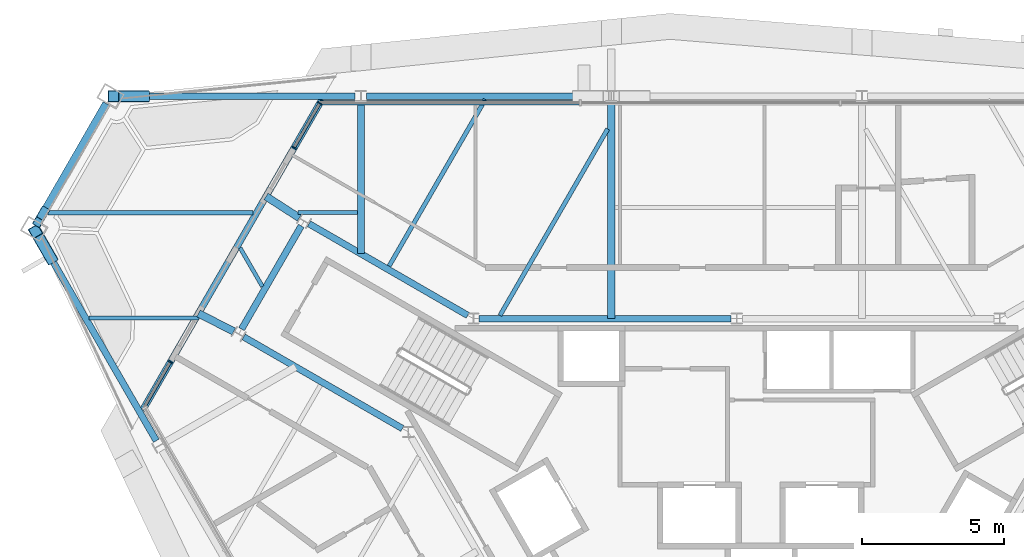
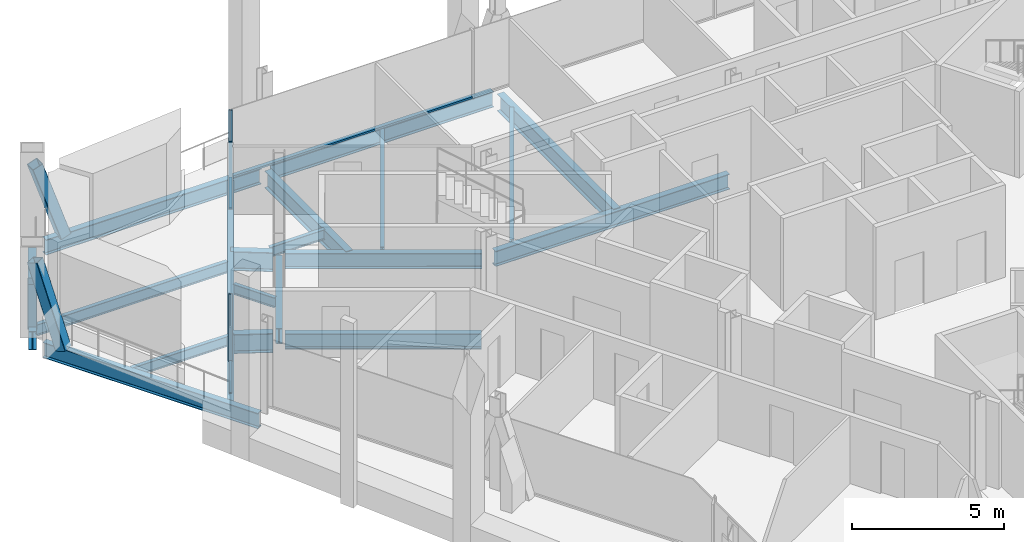
# One storey, part 6 of 14: 19 beams, 9 members, 3 elements without a shape of their own.
"""IFC4 building model written with IfcOpenShell, lengths in metres."""

from ifc_helpers import new_model, si_unit, direction, frame, origin, origin_2d, place, context, subcontext, project, spatial, rectangle, hollow_rectangle, i_section, extrude, material, material_profile, profile_set, type_object, element, aggregate, save


model = new_model("IFC4")

# Units and contexts
model_context = context("Model", 3, precision=1e-05, world=origin(), true_north=direction((0.0, 1.0)))
body_context = subcontext(model_context, "Body", "Model", "MODEL_VIEW")
ifc_project = project(units=[si_unit("LENGTHUNIT", "METRE"), si_unit("AREAUNIT", "SQUARE_METRE"), si_unit("VOLUMEUNIT", "CUBIC_METRE"), si_unit("PLANEANGLEUNIT", "RADIAN"), si_unit("MASSUNIT", "GRAM", prefix="KILO")], contexts=[model_context])

# Site, building, storey
site_placement = place(None, origin())
site = spatial("IfcSite", under=ifc_project, at=site_placement, CompositionType="ELEMENT")
building_placement = place(site_placement, origin())
building = spatial("IfcBuilding", under=site, at=building_placement, Name="Verrane Prism Tower", CompositionType="ELEMENT")
storey_placement = place(building_placement, frame((0.0, 0.0, 228.60009765625)))
storey = spatial("IfcBuildingStorey", under=building, at=storey_placement, Name="L57", CompositionType="ELEMENT", Elevation=228.60009765625)

# Member
ifc_material_1 = material(Name="Steel A500 Grade C", Category="steel")
ifc_material_profile_1 = material_profile(ifc_material_1, hollow_rectangle(XDim=0.3046875, YDim=0.3046875, WallThickness=0.0126953125, InnerFilletRadius=0.00634765625, OuterFilletRadius=0.01904296875, at=origin_2d()), Name="HSS12x12x1/2")
ifc_profile_set_1 = profile_set([ifc_material_profile_1], Name="Steel A500 Grade C")
member_type_1 = type_object("IfcMemberType", Name="Chamfer brace HSS12x12x1/2", PredefinedType="BRACE", material=ifc_profile_set_1)
member_1_placement = place(storey_placement, frame((-24.366455078125, 11.773681640625, -0.24267578125), z_axis=(-0.101660456099, -0.176430813877, 0.979049191604), x_axis=(0.866454477598, -0.499256084841, 0.0)))
element("IfcMember", 1, at=member_1_placement, inside=storey, type_object=member_type_1, Name="Chamfer brace NW0 L57", PredefinedType="BRACE", context=body_context, shape_type="SweptSolid", body=[
    extrude(hollow_rectangle(XDim=0.3046875, YDim=0.3046875, WallThickness=0.0126953125, InnerFilletRadius=0.00634765625, OuterFilletRadius=0.01904296875, at=origin_2d()), origin(), (0.0, 0.0, 1.0), 2.15185546875),
])

# Beams
ifc_material_2 = material(Name="Steel A992", Category="steel")
ifc_material_profile_2 = material_profile(ifc_material_2, i_section(OverallWidth=0.2666015625, OverallDepth=0.7568359375, WebThickness=0.013916015625, FlangeThickness=0.019287109375, FilletRadius=0.0166015625, at=origin_2d()), Name="W30x108")
ifc_profile_set_2 = profile_set([ifc_material_profile_2], Name="Steel A992")
beam_type_1 = type_object("IfcBeamType", Name="Chamfer spandrel beam W30x108", PredefinedType="SPANDREL", material=ifc_profile_set_2)
beam_1_placement = place(storey_placement, frame((-22.1796875, 15.570068359375, -0.53857421875), z_axis=(-0.499144251771, -0.866518906848, 0.0), x_axis=(0.866518906848, -0.499144251771, 0.0)))
element("IfcBeam", 2, at=beam_1_placement, inside=storey, type_object=beam_type_1, Name="Chamfer spandrel beam L57", PredefinedType="SPANDREL", context=body_context, shape_type="SweptSolid", body=[
    extrude(i_section(OverallWidth=0.2666015625, OverallDepth=0.7568359375, WebThickness=0.013916015625, FlangeThickness=0.019287109375, FilletRadius=0.0166015625, at=origin_2d()), origin(), (0.0, 0.0, 1.0), 4.78955078125),
])
ifc_material_3 = material(Name="Steel A992", Category="steel")
ifc_material_profile_3 = material_profile(ifc_material_3, i_section(OverallWidth=0.23046875, OverallDepth=0.6171875, WebThickness=0.01318359375, FlangeThickness=0.022216796875, FilletRadius=0.012939453125, at=origin_2d()), Name="W24x94")
ifc_profile_set_3 = profile_set([ifc_material_profile_3], Name="Steel A992")
beam_type_2 = type_object("IfcBeamType", Name="Core ring girder W24x94", PredefinedType="BEAM", material=ifc_profile_set_3)
beam_2_placement = place(storey_placement, frame((-0.199462890625, 8.0, -0.55859375), z_axis=(-1.0, 0.0, 0.0), x_axis=(0.0, -1.0, 0.0)))
element("IfcBeam", 3, at=beam_2_placement, inside=storey, type_object=beam_type_2, Name="Core ring girder L57", PredefinedType="BEAM", context=body_context, shape_type="SweptSolid", body=[
    extrude(i_section(OverallWidth=0.23046875, OverallDepth=0.6171875, WebThickness=0.01318359375, FlangeThickness=0.022216796875, FilletRadius=0.012939453125, at=origin_2d()), origin(), (0.0, 0.0, 1.0), 8.861083984375),
])
beam_3_placement = place(storey_placement, frame((-9.45947265625, 8.114990234375, -0.55859375), z_axis=(-0.866080992722, 0.499903704773, 0.0), x_axis=(-0.499903704773, -0.866080992722, 0.0)))
element("IfcBeam", 4, at=beam_3_placement, inside=storey, type_object=beam_type_2, Name="Core ring girder L57", PredefinedType="BEAM", context=body_context, shape_type="SweptSolid", body=[
    extrude(i_section(OverallWidth=0.23046875, OverallDepth=0.6171875, WebThickness=0.01318359375, FlangeThickness=0.022216796875, FilletRadius=0.012939453125, at=origin_2d()), origin(), (0.0, 0.0, 1.0), 6.451904296875),
])
beam_4_placement = place(storey_placement, frame((-15.3203125, 11.266357421875, -0.55859375), z_axis=(-0.500375511519, -0.865808493532, 0.0), x_axis=(0.865808493532, -0.500375511519, 0.0)))
element("IfcBeam", 5, at=beam_4_placement, inside=storey, type_object=beam_type_2, Name="Core ring girder L57", PredefinedType="BEAM", context=body_context, shape_type="SweptSolid", body=[
    extrude(i_section(OverallWidth=0.23046875, OverallDepth=0.6171875, WebThickness=0.01318359375, FlangeThickness=0.022216796875, FilletRadius=0.012939453125, at=origin_2d()), origin(), (0.0, 0.0, 1.0), 4.195556640625),
])
beam_5_placement = place(storey_placement, frame((-17.347412109375, 7.3603515625, -0.55859375), z_axis=(0.866080992722, -0.499903704773, 0.0), x_axis=(0.499903704773, 0.866080992722, 0.0)))
element("IfcBeam", 6, at=beam_5_placement, inside=storey, type_object=beam_type_2, Name="Core ring girder L57", PredefinedType="BEAM", context=body_context, shape_type="SweptSolid", body=[
    extrude(i_section(OverallWidth=0.23046875, OverallDepth=0.6171875, WebThickness=0.01318359375, FlangeThickness=0.022216796875, FilletRadius=0.012939453125, at=origin_2d()), origin(), (0.0, 0.0, 1.0), 6.451904296875),
])
ifc_material_4 = material(Name="Steel A992", Category="steel")
ifc_material_profile_4 = material_profile(ifc_material_4, i_section(OverallWidth=0.2666015625, OverallDepth=0.76708984375, WebThickness=0.014892578125, FlangeThickness=0.023681640625, FilletRadius=0.0166015625, at=origin_2d()), Name="W30x124")
ifc_profile_set_4 = profile_set([ifc_material_profile_4], Name="Steel A992")
beam_type_3 = type_object("IfcBeamType", Name="Corner girder W30x124", PredefinedType="BEAM", material=ifc_profile_set_4)
beam_6_placement = place(storey_placement, frame((-16.55908203125, 12.30322265625, -0.603515625), z_axis=(0.840494807455, -0.54181959972, 0.0), x_axis=(0.54181959972, 0.840494807455, 0.0)))
element("IfcBeam", 7, at=beam_6_placement, inside=storey, type_object=beam_type_3, Name="Corner girder L57", PredefinedType="BEAM", context=body_context, shape_type="SweptSolid", body=[
    extrude(i_section(OverallWidth=0.2666015625, OverallDepth=0.76708984375, WebThickness=0.014892578125, FlangeThickness=0.023681640625, FilletRadius=0.0166015625, at=origin_2d()), origin(), (0.0, 0.0, 1.0), 1.393798828125),
])
beam_7_placement = place(storey_placement, frame((-18.935302734375, 8.187255859375, -0.603515625), z_axis=(0.88946102269, -0.457011038286, 0.0), x_axis=(0.457011038286, 0.88946102269, 0.0)))
element("IfcBeam", 8, at=beam_7_placement, inside=storey, type_object=beam_type_3, Name="Corner girder L57", PredefinedType="BEAM", context=body_context, shape_type="SweptSolid", body=[
    extrude(i_section(OverallWidth=0.2666015625, OverallDepth=0.76708984375, WebThickness=0.014892578125, FlangeThickness=0.023681640625, FilletRadius=0.0166015625, at=origin_2d()), origin(), (0.0, 0.0, 1.0), 1.3916015625),
])

# Members
ifc_material_5 = material(Name="Steel A500 Grade C", Category="steel")
ifc_material_profile_5 = material_profile(ifc_material_5, hollow_rectangle(XDim=0.406494140625, YDim=0.406494140625, WallThickness=0.01904296875, InnerFilletRadius=0.009521484375, OuterFilletRadius=0.028564453125, at=origin_2d()), Name="HSS16x16x3/4")
ifc_profile_set_5 = profile_set([ifc_material_profile_5], Name="Steel A500 Grade C")
member_type_2 = type_object("IfcMemberType", Name="Facade brace HSS16x16x3/4", PredefinedType="BRACE", material=ifc_profile_set_5)
for number, where, z_axis, x_axis, name in (
    (9, (-20.857177734375, 15.830078125, -0.216796875), (-0.322009246093, 0.0, 0.946736523765), (0.0, -1.0, 0.0), "Facade brace N4 L57"),
    (10, (-24.13427734375, 10.144287109375, -0.216796875), (-0.160861231008, 0.278884815454, 0.946756000281), (-0.866231099009, -0.499643556057, 0.0), "Facade brace SW0 L57"),
):
    element("IfcMember", number, at=place(storey_placement, frame(where, z_axis=z_axis, x_axis=x_axis)), inside=storey, type_object=member_type_2, Name=name, PredefinedType="BRACE", context=body_context, shape_type="SweptSolid", body=[
        extrude(hollow_rectangle(XDim=0.406494140625, YDim=0.406494140625, WallThickness=0.01904296875, InnerFilletRadius=0.009521484375, OuterFilletRadius=0.028564453125, at=origin_2d()), origin(), (0.0, 0.0, 1.0), 3.328369140625),
    ])

# Beams
ifc_material_6 = material(Name="Steel A992", Category="steel")
ifc_material_profile_6 = material_profile(ifc_material_6, i_section(OverallWidth=0.140380859375, OverallDepth=0.40380859375, WebThickness=0.007080078125, FlangeThickness=0.01123046875, FilletRadius=0.01025390625, at=origin_2d()), Name="W16x31")
ifc_profile_set_6 = profile_set([ifc_material_profile_6], Name="Steel A992")
beam_type_4 = type_object("IfcBeamType", Name="Floor beam W16x31", PredefinedType="BEAM", material=ifc_profile_set_6)
beam_8_placement = place(storey_placement, frame((-22.7822265625, 8.030029296875, -0.362060546875), z_axis=(1.0, 0.0, 0.0), x_axis=(0.0, 1.0, 0.0)))
element("IfcBeam", 11, at=beam_8_placement, inside=storey, type_object=beam_type_4, Name="Floor beam L57", PredefinedType="BEAM", context=body_context, shape_type="SweptSolid", body=[
    extrude(i_section(OverallWidth=0.140380859375, OverallDepth=0.40380859375, WebThickness=0.007080078125, FlangeThickness=0.01123046875, FilletRadius=0.01025390625, at=origin_2d()), origin(), (0.0, 0.0, 1.0), 3.861328125),
])
beam_9_placement = place(storey_placement, frame((-15.425537109375, 11.72998046875, -0.362060546875), z_axis=(1.0, 0.0, 0.0), x_axis=(0.0, 1.0, 0.0)))
element("IfcBeam", 12, at=beam_9_placement, inside=storey, type_object=beam_type_4, Name="Floor beam L57", PredefinedType="BEAM", context=body_context, shape_type="SweptSolid", body=[
    extrude(i_section(OverallWidth=0.140380859375, OverallDepth=0.40380859375, WebThickness=0.007080078125, FlangeThickness=0.01123046875, FilletRadius=0.01025390625, at=origin_2d()), origin(), (0.0, 0.0, 1.0), 2.07861328125),
])
beam_10_placement = place(storey_placement, frame((-16.68603515625, 9.1328125, -0.362060546875), z_axis=(-0.500062898373, 0.865989086347, 0.0), x_axis=(-0.865989086347, -0.500062898373, 0.0)))
element("IfcBeam", 13, at=beam_10_placement, inside=storey, type_object=beam_type_4, Name="Floor beam L57", PredefinedType="BEAM", context=body_context, shape_type="SweptSolid", body=[
    extrude(i_section(OverallWidth=0.140380859375, OverallDepth=0.40380859375, WebThickness=0.007080078125, FlangeThickness=0.01123046875, FilletRadius=0.01025390625, at=origin_2d()), origin(), (0.0, 0.0, 1.0), 1.572509765625),
])
ifc_material_7 = material(Name="Steel A992", Category="steel")
ifc_material_profile_7 = material_profile(ifc_material_7, i_section(OverallWidth=0.15234375, OverallDepth=0.449462890625, WebThickness=0.007568359375, FlangeThickness=0.0107421875, FilletRadius=0.01025390625, at=origin_2d()), Name="W18x35")
ifc_profile_set_7 = profile_set([ifc_material_profile_7], Name="Steel A992")
beam_type_5 = type_object("IfcBeamType", Name="Floor beam W18x35", PredefinedType="BEAM", material=ifc_profile_set_7)
beam_11_placement = place(storey_placement, frame((-8.3251953125, 8.114990234375, -0.385009765625), z_axis=(0.499979074716, 0.866037484666, 0.0), x_axis=(-0.866037484666, 0.499979074716, 0.0)))
element("IfcBeam", 14, at=beam_11_placement, inside=storey, type_object=beam_type_5, Name="Floor beam L57", PredefinedType="BEAM", context=body_context, shape_type="SweptSolid", body=[
    extrude(i_section(OverallWidth=0.15234375, OverallDepth=0.449462890625, WebThickness=0.007568359375, FlangeThickness=0.0107421875, FilletRadius=0.01025390625, at=origin_2d()), origin(), (0.0, 0.0, 1.0), 7.576416015625),
])
beam_12_placement = place(storey_placement, frame((-12.22900390625, 9.849853515625, -0.385009765625), z_axis=(0.499992893009, 0.866029506969, 0.0), x_axis=(-0.866029506969, 0.499992893009, 0.0)))
element("IfcBeam", 15, at=beam_12_placement, inside=storey, type_object=beam_type_5, Name="Floor beam L57", PredefinedType="BEAM", context=body_context, shape_type="SweptSolid", body=[
    extrude(i_section(OverallWidth=0.15234375, OverallDepth=0.449462890625, WebThickness=0.007568359375, FlangeThickness=0.0107421875, FilletRadius=0.01025390625, at=origin_2d()), origin(), (0.0, 0.0, 1.0), 6.7724609375),
])
beam_13_placement = place(storey_placement, frame((-24.237548828125, 11.72998046875, -0.385009765625), z_axis=(1.0, 0.0, 0.0), x_axis=(0.0, 1.0, 0.0)))
element("IfcBeam", 16, at=beam_13_placement, inside=storey, type_object=beam_type_5, Name="Floor beam L57", PredefinedType="BEAM", context=body_context, shape_type="SweptSolid", body=[
    extrude(i_section(OverallWidth=0.15234375, OverallDepth=0.449462890625, WebThickness=0.007568359375, FlangeThickness=0.0107421875, FilletRadius=0.01025390625, at=origin_2d()), origin(), (0.0, 0.0, 1.0), 7.214599609375),
])

# Curtain wall, members
ifc_material_8 = material(Name="Aluminium framed insulated glazing", Category="aluminium")
curtain_wall_type_1 = type_object("IfcCurtainWallType", Name="Curtain wall CW-C 4200 module", PredefinedType="NOTDEFINED", material=ifc_material_8)
curtain_wall_1_placement = place(storey_placement, origin())
curtain_wall_1 = element("IfcCurtainWall", 17, at=curtain_wall_1_placement, inside=storey, type_object=curtain_wall_type_1, Name="Glazed curtain wall garden cut line L57 1", PredefinedType="NOTDEFINED")
ifc_material_9 = material(Name="Aluminium alloy 6063-T6", Category="aluminium")
ifc_material_profile_8 = material_profile(ifc_material_9, rectangle(XDim=0.139892578125, YDim=0.050048828125, at=origin_2d()), Name="Mullion 50x140 aluminium")
ifc_profile_set_8 = profile_set([ifc_material_profile_8], Name="Aluminium alloy 6063-T6")
member_type_3 = type_object("IfcMemberType", Name="Mullion 50x140 aluminium", PredefinedType="MULLION", material=ifc_profile_set_8)
member_2_placement = place(storey_placement, frame((-14.6669921875, 15.580078125, 0.0), z_axis=(0.0, 0.0, 1.0), x_axis=(0.866041001737, -0.49997298258, 0.0)))
member_2 = element("IfcMember", 18, at=member_2_placement, type_object=member_type_3, Name="CW57.3.1 mullion 1", PredefinedType="MULLION", context=body_context, shape_type="SweptSolid", body=[
    extrude(rectangle(XDim=0.139892578125, YDim=0.050048828125, at=origin_2d()), origin(), (0.0, 0.0, 1.0), 2.712890625),
])
member_3_placement = place(storey_placement, frame((-15.569091796875, 14.017578125, 0.0), z_axis=(0.0, 0.0, 1.0), x_axis=(0.866041001737, -0.49997298258, 0.0)))
member_3 = element("IfcMember", 19, at=member_3_placement, type_object=member_type_3, Name="CW57.3.1 mullion 2", PredefinedType="MULLION", context=body_context, shape_type="SweptSolid", body=[
    extrude(rectangle(XDim=0.139892578125, YDim=0.050048828125, at=origin_2d()), origin(), (0.0, 0.0, 1.0), 2.712890625),
])

# Curtain wall, member
curtain_wall_2_placement = place(storey_placement, origin())
curtain_wall_2 = element("IfcCurtainWall", 20, at=curtain_wall_2_placement, inside=storey, type_object=curtain_wall_type_1, Name="Glazed curtain wall garden cut line L57 2", PredefinedType="NOTDEFINED")
member_4_placement = place(storey_placement, frame((-19.92431640625, 6.474609375, 0.0), z_axis=(0.0, 0.0, 1.0), x_axis=(0.866041001737, -0.49997298258, 0.0)))
member_4 = element("IfcMember", 21, at=member_4_placement, type_object=member_type_3, Name="CW57.3.2 mullion 1", PredefinedType="MULLION", context=body_context, shape_type="SweptSolid", body=[
    extrude(rectangle(XDim=0.139892578125, YDim=0.050048828125, at=origin_2d()), origin(), (0.0, 0.0, 1.0), 2.712890625),
])

# Beams
ifc_material_10 = material(Name="Steel A992", Category="steel")
ifc_material_profile_9 = material_profile(ifc_material_10, i_section(OverallWidth=0.25390625, OverallDepth=0.683349609375, WebThickness=0.012451171875, FlangeThickness=0.01904296875, FilletRadius=0.01513671875, at=origin_2d()), Name="W27x94")
ifc_profile_set_9 = profile_set([ifc_material_profile_9], Name="Steel A992")
beam_type_6 = type_object("IfcBeamType", Name="Radial girder W27x94", PredefinedType="BEAM", material=ifc_profile_set_9)
beam_14_placement = place(storey_placement, frame((-4.409912109375, 15.630615234375, -0.561767578125), z_axis=(0.0, -1.0, 0.0), x_axis=(1.0, 0.0, 0.0)))
element("IfcBeam", 22, at=beam_14_placement, inside=storey, type_object=beam_type_6, Name="Radial girder L57", PredefinedType="BEAM", context=body_context, shape_type="SweptSolid", body=[
    extrude(i_section(OverallWidth=0.25390625, OverallDepth=0.683349609375, WebThickness=0.012451171875, FlangeThickness=0.01904296875, FilletRadius=0.01513671875, at=origin_2d()), origin(), (0.0, 0.0, 1.0), 7.630615234375),
])
beam_15_placement = place(storey_placement, frame((-13.219970703125, 15.630615234375, -0.561767578125), z_axis=(0.0, -1.0, 0.0), x_axis=(1.0, 0.0, 0.0)))
element("IfcBeam", 23, at=beam_15_placement, inside=storey, type_object=beam_type_6, Name="Radial girder L57", PredefinedType="BEAM", context=body_context, shape_type="SweptSolid", body=[
    extrude(i_section(OverallWidth=0.25390625, OverallDepth=0.683349609375, WebThickness=0.012451171875, FlangeThickness=0.01904296875, FilletRadius=0.01513671875, at=origin_2d()), origin(), (0.0, 0.0, 1.0), 5.344970703125),
])
ifc_material_11 = material(Name="Steel A992", Category="steel")
ifc_material_profile_10 = material_profile(ifc_material_11, i_section(OverallWidth=0.23046875, OverallDepth=0.6171875, WebThickness=0.01318359375, FlangeThickness=0.022216796875, FilletRadius=0.012939453125, at=origin_2d()), Name="W24x94")
ifc_profile_set_10 = profile_set([ifc_material_profile_10], Name="Steel A992")
beam_type_7 = type_object("IfcBeamType", Name="Slab edge girder W24x94", PredefinedType="BEAM", material=ifc_profile_set_10)
beam_16_placement = place(storey_placement, frame((-20.904296875, 4.777099609375, -0.52880859375), z_axis=(0.500008020555, 0.866020773066, 0.0), x_axis=(-0.866020773066, 0.500008020555, 0.0)))
element("IfcBeam", 24, at=beam_16_placement, inside=storey, type_object=beam_type_7, Name="Slab edge girder L57", PredefinedType="BEAM", context=body_context, shape_type="SweptSolid", body=[
    extrude(i_section(OverallWidth=0.23046875, OverallDepth=0.6171875, WebThickness=0.01318359375, FlangeThickness=0.022216796875, FilletRadius=0.012939453125, at=origin_2d()), origin(), (0.0, 0.0, 1.0), 12.630126953125),
])
ifc_material_12 = material(Name="Steel A992", Category="steel")
ifc_material_profile_11 = material_profile(ifc_material_12, i_section(OverallWidth=0.23046875, OverallDepth=0.6171875, WebThickness=0.01318359375, FlangeThickness=0.022216796875, FilletRadius=0.012939453125, at=origin_2d()), Name="W24x94")
ifc_profile_set_11 = profile_set([ifc_material_profile_11], Name="Steel A992")
beam_type_8 = type_object("IfcBeamType", Name="Spandrel beam W24x94", PredefinedType="SPANDREL", material=ifc_profile_set_11)
beam_17_placement = place(storey_placement, frame((-4.610595703125, 15.830078125, -0.46875), z_axis=(-1.0, 0.0, 0.0), x_axis=(0.0, -1.0, 0.0)))
element("IfcBeam", 25, at=beam_17_placement, inside=storey, type_object=beam_type_8, Name="Spandrel beam L57", PredefinedType="SPANDREL", context=body_context, shape_type="SweptSolid", body=[
    extrude(i_section(OverallWidth=0.23046875, OverallDepth=0.6171875, WebThickness=0.01318359375, FlangeThickness=0.022216796875, FilletRadius=0.012939453125, at=origin_2d()), origin(), (0.0, 0.0, 1.0), 8.40869140625),
])
beam_18_placement = place(storey_placement, frame((-13.420654296875, 15.830078125, -0.46875), z_axis=(-1.0, 0.0, 0.0), x_axis=(0.0, -1.0, 0.0)))
element("IfcBeam", 26, at=beam_18_placement, inside=storey, type_object=beam_type_8, Name="Spandrel beam L57", PredefinedType="SPANDREL", context=body_context, shape_type="SweptSolid", body=[
    extrude(i_section(OverallWidth=0.23046875, OverallDepth=0.6171875, WebThickness=0.01318359375, FlangeThickness=0.022216796875, FilletRadius=0.012939453125, at=origin_2d()), origin(), (0.0, 0.0, 1.0), 8.1474609375),
])
beam_19_placement = place(storey_placement, frame((-24.4892578125, 10.759765625, -0.46875), z_axis=(0.499572810058, -0.866271901571, 0.0), x_axis=(0.866271901571, 0.499572810058, 0.0)))
element("IfcBeam", 27, at=beam_19_placement, inside=storey, type_object=beam_type_8, Name="Spandrel beam L57", PredefinedType="SPANDREL", context=body_context, shape_type="SweptSolid", body=[
    extrude(i_section(OverallWidth=0.23046875, OverallDepth=0.6171875, WebThickness=0.01318359375, FlangeThickness=0.022216796875, FilletRadius=0.012939453125, at=origin_2d()), origin(), (0.0, 0.0, 1.0), 8.145263671875),
])

# Member
ifc_material_13 = material(Name="Aluminium alloy 6063-T6", Category="aluminium")
ifc_material_profile_12 = material_profile(ifc_material_13, rectangle(XDim=0.10009765625, YDim=0.050048828125, at=origin_2d()), Name="Transom 50x100 aluminium")
ifc_profile_set_12 = profile_set([ifc_material_profile_12], Name="Aluminium alloy 6063-T6")
member_type_4 = type_object("IfcMemberType", Name="Transom 50x100 aluminium", PredefinedType="USERDEFINED", material=ifc_profile_set_12)
member_5_placement = place(storey_placement, frame((-14.679443359375, 15.55859375, 0.02490234375), z_axis=(-0.50001558016, -0.866016408388, 0.0), x_axis=(0.866016408388, -0.50001558016, 0.0)))
member_5 = element("IfcMember", 28, at=member_5_placement, type_object=member_type_4, Name="CW57.3.1 transom 1", ObjectType="TRANSOM", PredefinedType="USERDEFINED", context=body_context, shape_type="SweptSolid", body=[
    extrude(rectangle(XDim=0.10009765625, YDim=0.050048828125, at=origin_2d()), origin(), (0.0, 0.0, 1.0), 1.75439453125),
])

aggregate(curtain_wall_1, [member_2, member_3, member_5])

member_6_placement = place(storey_placement, frame((-19.936767578125, 6.452880859375, 0.02490234375), z_axis=(-0.499995765644, -0.866027848477, 0.0), x_axis=(0.866027848477, -0.499995765644, 0.0)))
member_6 = element("IfcMember", 29, at=member_6_placement, type_object=member_type_4, Name="CW57.3.2 transom 1", ObjectType="TRANSOM", PredefinedType="USERDEFINED", context=body_context, shape_type="SweptSolid", body=[
    extrude(rectangle(XDim=0.10009765625, YDim=0.050048828125, at=origin_2d()), origin(), (0.0, 0.0, 1.0), 1.80419921875),
])

aggregate(curtain_wall_2, [member_4, member_6])

# Curtain wall, member
ifc_material_14 = material(Name="Aluminium framed insulated glazing", Category="aluminium")
curtain_wall_type_2 = type_object("IfcCurtainWallType", Name="Curtain wall CW-A 8400 module", PredefinedType="NOTDEFINED", material=ifc_material_14)
curtain_wall_3_placement = place(storey_placement, origin())
curtain_wall_3 = element("IfcCurtainWall", 30, at=curtain_wall_3_placement, inside=storey, type_object=curtain_wall_type_2, Name="Glazed curtain wall north face L57", PredefinedType="NOTDEFINED")
ifc_material_15 = material(Name="Aluminium alloy 6063-T6", Category="aluminium")
ifc_material_profile_13 = material_profile(ifc_material_15, rectangle(XDim=0.14990234375, YDim=0.070068359375, at=origin_2d()), Name="Transom 70x150 aluminium")
ifc_profile_set_13 = profile_set([ifc_material_profile_13], Name="Aluminium alloy 6063-T6")
member_type_5 = type_object("IfcMemberType", Name="Transom 70x150 aluminium", PredefinedType="USERDEFINED", material=ifc_profile_set_13)
member_7_placement = place(storey_placement, frame((-5.537109375, 15.601806640625, 0.034912109375), z_axis=(-1.0, 0.0, 0.0), x_axis=(0.0, -1.0, 0.0)))
member_7 = element("IfcMember", 31, at=member_7_placement, type_object=member_type_5, Name="CW57.2 transom 4", ObjectType="TRANSOM", PredefinedType="USERDEFINED", context=body_context, shape_type="SweptSolid", body=[
    extrude(rectangle(XDim=0.14990234375, YDim=0.070068359375, at=origin_2d()), origin(), (0.0, 0.0, 1.0), 9.117431640625),
])
aggregate(curtain_wall_3, [member_7])

save(model, "model.ifc")
